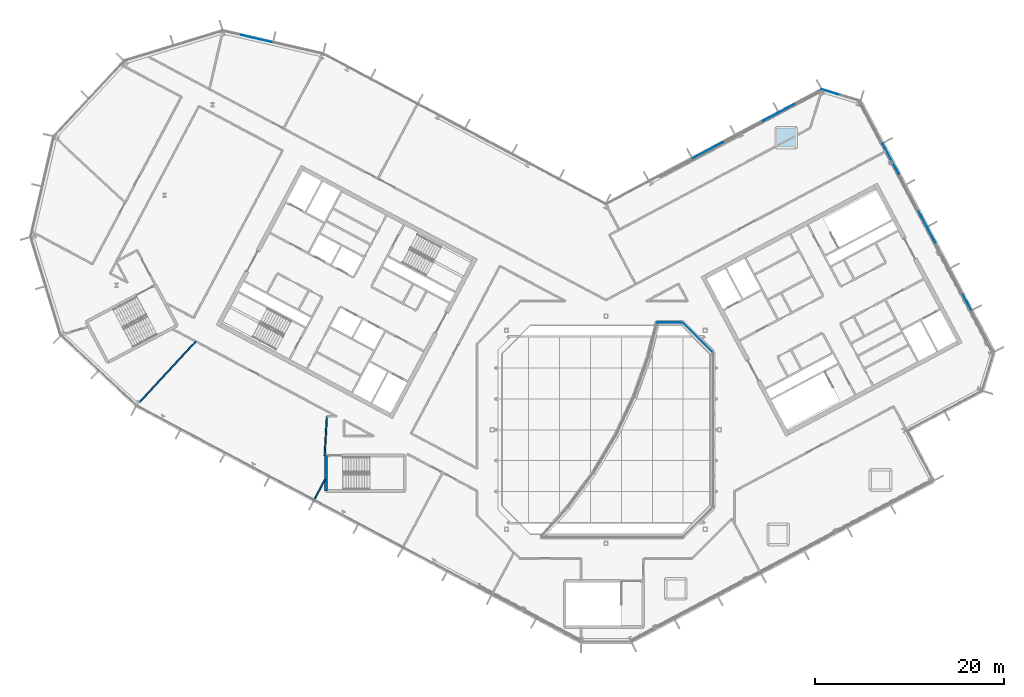
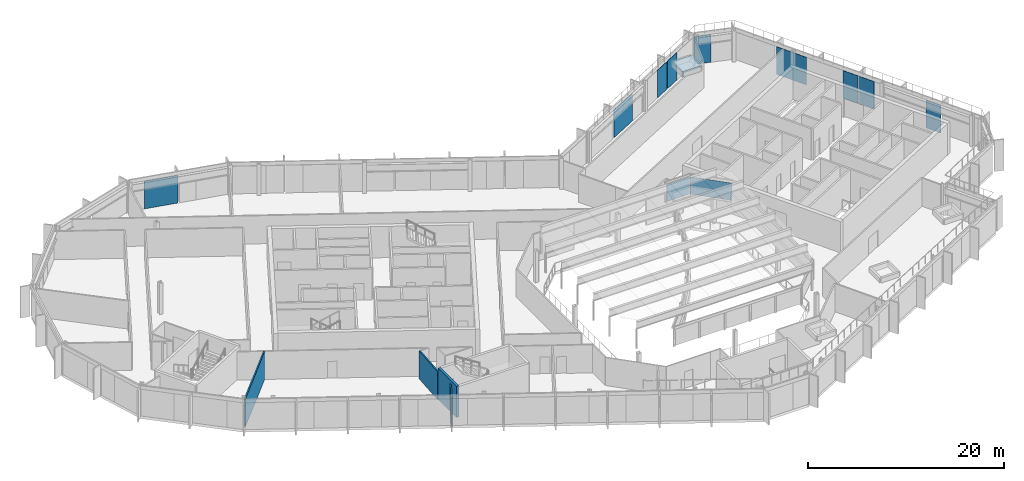
# One storey, part 22 of 35: 11 plates, 4 walls, 1 slab, 6 elements without a shape of their own.
"""IFC4 building model written with IfcOpenShell, lengths in metres."""

from ifc_helpers import new_model, si_unit, direction, frame, frame_2d, origin, origin_2d, place, context, subcontext, project, spatial, polyline, rectangle, outline, extrude, material, layer, layer_set, type_object, element, aggregate, save


model = new_model("IFC4")

# Units and contexts
model_context = context("Model", 3, precision=1e-05, world=origin(), true_north=direction((0.0, 1.0)))
body_context = subcontext(model_context, "Body", "Model", "MODEL_VIEW")
ifc_project = project(units=[si_unit("LENGTHUNIT", "METRE"), si_unit("AREAUNIT", "SQUARE_METRE"), si_unit("VOLUMEUNIT", "CUBIC_METRE"), si_unit("PLANEANGLEUNIT", "RADIAN"), si_unit("MASSUNIT", "GRAM", prefix="KILO")], contexts=[model_context])

# Site, building, storey
site_placement = place(None, origin())
site = spatial("IfcSite", under=ifc_project, at=site_placement, CompositionType="ELEMENT")
building_placement = place(site_placement, origin())
building = spatial("IfcBuilding", under=site, at=building_placement, Name="Cormorant Relay Tower", CompositionType="ELEMENT")
storey_placement = place(building_placement, frame((0.0, 0.0, 324.300048828125)))
storey = spatial("IfcBuildingStorey", under=building, at=storey_placement, Name="L74", CompositionType="ELEMENT", Elevation=324.300048828125)

# Curtain wall, plates
ifc_material_1 = material(Name="Aluminium 6063-T6 anodised bronze", Category="aluminium")
ifc_layer_1 = layer(ifc_material_1, 0.199951171875)
ifc_layer_set_1 = layer_set([ifc_layer_1], Name="CW1 unitised bronze curtain wall with vertical fins")
curtain_wall_type_1 = type_object("IfcCurtainWallType", Name="CW1 unitised bronze curtain wall with vertical fins", PredefinedType="NOTDEFINED", material=ifc_layer_set_1)
curtain_wall_1_placement = place(storey_placement, origin())
curtain_wall_1 = element("IfcCurtainWall", 1, at=curtain_wall_1_placement, inside=storey, type_object=curtain_wall_type_1, Name="CW1 curtain wall 6", PredefinedType="NOTDEFINED")
ifc_material_2 = material(Name="Tinted laminated glass", Category="glass")
ifc_layer_2 = layer(ifc_material_2, 0.0400390625)
ifc_layer_set_2 = layer_set([ifc_layer_2], Name="CW1 tinted vision panel 1800 module")
plate_type_1 = type_object("IfcPlateType", Name="CW1 tinted vision panel 1800 module", PredefinedType="CURTAIN_PANEL", material=ifc_layer_set_2)
plate_1_placement = place(storey_placement, frame((38.1640625, 13.468505859375, 0.0), z_axis=(0.0, 0.0, 1.0), x_axis=(-0.469471562786, 0.882947592859, 0.0)))
plate_1 = element("IfcPlate", 2, at=plate_1_placement, type_object=plate_type_1, Name="CW1 panel V01", PredefinedType="CURTAIN_PANEL", context=body_context, shape_type="SweptSolid", body=[
    extrude(rectangle(XDim=1.800048828125, YDim=0.0400390625, at=origin_2d()), origin(), (0.0, 0.0, 1.0), 3.449951171875),
])
plate_2_placement = place(storey_placement, frame((34.385009765625, 20.576171875, 0.0), z_axis=(0.0, 0.0, 1.0), x_axis=(-0.469471562786, 0.882947592859, 0.0)))
plate_2 = element("IfcPlate", 3, at=plate_2_placement, type_object=plate_type_1, Name="CW1 panel V03", PredefinedType="CURTAIN_PANEL", context=body_context, shape_type="SweptSolid", body=[
    extrude(rectangle(XDim=1.800048828125, YDim=0.0400390625, at=origin_2d()), origin(), (0.0, 0.0, 1.0), 3.449951171875),
])
plate_3_placement = place(storey_placement, frame((33.469482421875, 22.298095703125, 0.0), z_axis=(0.0, 0.0, 1.0), x_axis=(-0.469471562786, 0.882947592859, 0.0)))
plate_3 = element("IfcPlate", 4, at=plate_3_placement, type_object=plate_type_1, Name="CW1 panel V04", PredefinedType="CURTAIN_PANEL", context=body_context, shape_type="SweptSolid", body=[
    extrude(rectangle(XDim=1.800048828125, YDim=0.0400390625, at=origin_2d()), origin(), (0.0, 0.0, 1.0), 3.449951171875),
])

# Curtain wall, plate
curtain_wall_2_placement = place(storey_placement, origin())
curtain_wall_2 = element("IfcCurtainWall", 5, at=curtain_wall_2_placement, inside=storey, type_object=curtain_wall_type_1, Name="CW1 curtain wall 7", PredefinedType="NOTDEFINED")
plate_4_placement = place(storey_placement, frame((23.6767578125, 35.668212890625, 0.0), z_axis=(0.0, 0.0, 1.0), x_axis=(-0.956304755963, 0.292371704723, 0.0)))
plate_4 = element("IfcPlate", 6, at=plate_4_placement, type_object=plate_type_1, Name="CW1 panel V01", PredefinedType="CURTAIN_PANEL", context=body_context, shape_type="SweptSolid", body=[
    extrude(rectangle(XDim=1.800048828125, YDim=0.0400390625, at=origin_2d()), origin(), (0.0, 0.0, 1.0), 3.449951171875),
])
aggregate(curtain_wall_2, [plate_4])

# Curtain wall, plates
curtain_wall_3_placement = place(storey_placement, origin())
curtain_wall_3 = element("IfcCurtainWall", 7, at=curtain_wall_3_placement, inside=storey, type_object=curtain_wall_type_1, Name="CW1 curtain wall 8", PredefinedType="NOTDEFINED")
plate_5_placement = place(storey_placement, frame((19.099609375, 33.962158203125, 0.0), z_axis=(0.0, 0.0, 1.0), x_axis=(-0.882947592859, -0.469471562786, 0.0)))
plate_5 = element("IfcPlate", 8, at=plate_5_placement, type_object=plate_type_1, Name="CW1 panel V01", PredefinedType="CURTAIN_PANEL", context=body_context, shape_type="SweptSolid", body=[
    extrude(rectangle(XDim=1.800048828125, YDim=0.0400390625, at=origin_2d()), origin(), (0.0, 0.0, 1.0), 3.449951171875),
])
plate_6_placement = place(storey_placement, frame((17.3779296875, 33.046630859375, 0.0), z_axis=(0.0, 0.0, 1.0), x_axis=(-0.882947592859, -0.469471562786, 0.0)))
plate_6 = element("IfcPlate", 9, at=plate_6_placement, type_object=plate_type_1, Name="CW1 panel V02", PredefinedType="CURTAIN_PANEL", context=body_context, shape_type="SweptSolid", body=[
    extrude(rectangle(XDim=1.800048828125, YDim=0.0400390625, at=origin_2d()), origin(), (0.0, 0.0, 1.0), 3.449951171875),
])

# Plate
ifc_material_3 = material(Name="Tinted laminated glass", Category="glass")
ifc_layer_3 = layer(ifc_material_3, 0.0400390625)
ifc_layer_set_3 = layer_set([ifc_layer_3], Name="CW1 tinted vision panel 3600 module")
plate_type_2 = type_object("IfcPlateType", Name="CW1 tinted vision panel 3600 module", PredefinedType="CURTAIN_PANEL", material=ifc_layer_set_3)
plate_7_placement = place(storey_placement, frame((30.11279296875, 28.611083984375, 0.0), z_axis=(0.0, 0.0, 1.0), x_axis=(-0.469471562786, 0.882947592859, 0.0)))
plate_7 = element("IfcPlate", 10, at=plate_7_placement, type_object=plate_type_2, Name="CW1 panel V06", PredefinedType="CURTAIN_PANEL", context=body_context, shape_type="SweptSolid", body=[
    extrude(rectangle(XDim=3.60009765625, YDim=0.0400390625, at=origin_2d()), origin(), (0.0, 0.0, 1.0), 3.449951171875),
])

aggregate(curtain_wall_1, [plate_1, plate_2, plate_3, plate_7])

plate_8_placement = place(storey_placement, frame((10.770263671875, 29.533203125, 0.0), z_axis=(0.0, 0.0, 1.0), x_axis=(-0.882947592859, -0.469471562786, 0.0)))
plate_8 = element("IfcPlate", 11, at=plate_8_placement, type_object=plate_type_2, Name="CW1 panel V04", PredefinedType="CURTAIN_PANEL", context=body_context, shape_type="SweptSolid", body=[
    extrude(rectangle(XDim=3.60009765625, YDim=0.0400390625, at=origin_2d()), origin(), (0.0, 0.0, 1.0), 3.449951171875),
])

aggregate(curtain_wall_3, [plate_5, plate_6, plate_8])

# Curtain wall, plate
curtain_wall_4_placement = place(storey_placement, origin())
curtain_wall_4 = element("IfcCurtainWall", 12, at=curtain_wall_4_placement, inside=storey, type_object=curtain_wall_type_1, Name="CW1 curtain wall 10", PredefinedType="NOTDEFINED")
plate_9_placement = place(storey_placement, frame((-36.9921875, 41.33203125, 0.0), z_axis=(0.0, 0.0, 1.0), x_axis=(-0.974370064785, 0.224951054344, 0.0)))
plate_9 = element("IfcPlate", 13, at=plate_9_placement, type_object=plate_type_2, Name="CW1 panel V02", PredefinedType="CURTAIN_PANEL", context=body_context, shape_type="SweptSolid", body=[
    extrude(rectangle(XDim=3.60009765625, YDim=0.0400390625, at=origin_2d()), origin(), (0.0, 0.0, 1.0), 3.449951171875),
])
aggregate(curtain_wall_4, [plate_9])

ifc_material_4 = material(Name="Aluminium 6063-T6 anodised bronze", Category="aluminium")
ifc_layer_4 = layer(ifc_material_4, 0.199951171875)
ifc_layer_set_4 = layer_set([ifc_layer_4], Name="CW5 atrium lantern curtain wall")
curtain_wall_type_2 = type_object("IfcCurtainWallType", Name="CW5 atrium lantern curtain wall", PredefinedType="NOTDEFINED", material=ifc_layer_set_4)
curtain_wall_5_placement = place(storey_placement, origin())
curtain_wall_5 = element("IfcCurtainWall", 14, at=curtain_wall_5_placement, inside=storey, type_object=curtain_wall_type_2, Name="CW5 atrium lantern wall 10", PredefinedType="NOTDEFINED")
ifc_material_5 = material(Name="Clear laminated glass", Category="glass")
ifc_layer_5 = layer(ifc_material_5, 0.0400390625)
ifc_layer_set_5 = layer_set([ifc_layer_5], Name="CW5 clear laminated glass panel 40")
plate_type_3 = type_object("IfcPlateType", Name="CW5 clear laminated glass panel 40", PredefinedType="CURTAIN_PANEL", material=ifc_layer_set_5)
plate_10_placement = place(storey_placement, frame((9.726318359375, 9.726318359375, 3.89990234375), z_axis=(0.0, 0.0, 1.0), x_axis=(-0.707106781187, 0.707106781187, 0.0)))
plate_10 = element("IfcPlate", 15, at=plate_10_placement, type_object=plate_type_3, Name="CW5 panel 10.1", PredefinedType="CURTAIN_PANEL", context=body_context, shape_type="SweptSolid", body=[
    extrude(rectangle(XDim=4.43115234375, YDim=0.0400390625, at=origin_2d()), origin(), (0.0, 0.0, 1.0), 2.14990234375),
])
aggregate(curtain_wall_5, [plate_10])

curtain_wall_6_placement = place(storey_placement, origin())
curtain_wall_6 = element("IfcCurtainWall", 16, at=curtain_wall_6_placement, inside=storey, type_object=curtain_wall_type_2, Name="CW5 atrium lantern wall 11", PredefinedType="NOTDEFINED")
plate_11_placement = place(storey_placement, frame((6.750244140625, 11.320068359375, 3.89990234375), z_axis=(0.0, 0.0, 1.0), x_axis=(-1.0, 0.0, 0.0)))
plate_11 = element("IfcPlate", 17, at=plate_11_placement, type_object=plate_type_3, Name="CW5 panel 11.1", PredefinedType="CURTAIN_PANEL", context=body_context, shape_type="SweptSolid", body=[
    extrude(rectangle(XDim=2.68798828125, YDim=0.0400390625, at=origin_2d()), origin(), (0.0, 0.0, 1.0), 2.14990234375),
])
aggregate(curtain_wall_6, [plate_11])

# Slab
ifc_material_6 = material(Name="Planting soil")
ifc_layer_6 = layer(ifc_material_6, 0.60009765625)
ifc_layer_set_6 = layer_set([ifc_layer_6], Name="PLANTER bed 600")
slab_type = type_object("IfcSlabType", Name="PLANTER bed 600", PredefinedType="FLOOR", material=ifc_layer_set_6)
slab_placement = place(storey_placement, frame((0.0, 0.0, 3.89990234375)))
element("IfcSlab", 18, at=slab_placement, inside=storey, type_object=slab_type, Name="Planter", PredefinedType="FLOOR", context=body_context, shape_type="SweptSolid", body=[
    extrude(outline(polyline([(17.960693359375, 29.772216796875), (20.110595703125, 29.772216796875), (20.110595703125, 31.92236328125), (17.960693359375, 31.92236328125), (17.960693359375, 29.772216796875)])), origin(), (0.0, 0.0, 1.0), 0.60009765625),
])

# Walls
ifc_material_7 = material(Name="Gypsum board fire partition")
ifc_layer_7 = layer(ifc_material_7, 0.14990234375)
ifc_layer_set_7 = layer_set([ifc_layer_7], Name="Corridor partition 150 EI 60")
wall_type_1 = type_object("IfcWallType", Name="Corridor partition 150 EI 60", PredefinedType="PARTITIONING", material=ifc_layer_set_7)
wall_1_placement = place(storey_placement, frame((-29.70849609375, -2.720703125, 0.0), z_axis=(0.0, 0.0, 1.0), x_axis=(0.056209208886, 0.998419012658, 0.0)))
element("IfcWall", 19, at=wall_1_placement, inside=storey, type_object=wall_type_1, Name="wall/L74/part/020", PredefinedType="PARTITIONING", context=body_context, shape_type="SweptSolid", body=[
    extrude(rectangle(XDim=4.15234375, YDim=0.14990234375, at=frame_2d((2.076171875, 0.0))), origin(), (0.0, 0.0, 1.0), 3.5),
])
ifc_material_8 = material(Name="Concrete 50 MPa", Category="concrete")
ifc_layer_8 = layer(ifc_material_8, 0.300048828125)
ifc_layer_set_8 = layer_set([ifc_layer_8], Name="Remote stair wall 300")
wall_type_2 = type_object("IfcWallType", Name="Remote stair wall 300", PredefinedType="SHEAR", material=ifc_layer_set_8)
wall_2_placement = place(storey_placement, frame((-29.550048828125, -6.47509765625, 0.0), z_axis=(0.0, 0.0, 1.0), x_axis=(0.0, 1.0, 0.0)))
element("IfcWall", 20, at=wall_2_placement, inside=storey, type_object=wall_type_2, Name="L74 exit stair RC1 wall", PredefinedType="SHEAR", context=body_context, shape_type="SweptSolid", body=[
    extrude(rectangle(XDim=3.75, YDim=0.300048828125, at=frame_2d((1.875, 0.0))), origin(), (0.0, 0.0, 1.0), 3.89990234375),
])
ifc_material_9 = material(Name="Gypsum board partition")
ifc_layer_9 = layer(ifc_material_9, 0.14990234375)
ifc_layer_set_9 = layer_set([ifc_layer_9], Name="Tenant partition 150")
wall_type_3 = type_object("IfcWallType", Name="Tenant partition 150", PredefinedType="PARTITIONING", material=ifc_layer_set_9)
wall_3_placement = place(storey_placement, frame((-43.30810546875, 9.322998046875, 0.0), z_axis=(0.0, 0.0, 1.0), x_axis=(-0.681957743037, -0.7313915755, 0.0)))
element("IfcWall", 21, at=wall_3_placement, inside=storey, type_object=wall_type_3, Name="wall/L74/part/006", PredefinedType="PARTITIONING", context=body_context, shape_type="SweptSolid", body=[
    extrude(rectangle(XDim=8.736572265625, YDim=0.14990234375, at=frame_2d((4.3681640625, 0.0))), origin(), (0.0, 0.0, 1.0), 3.5),
])
wall_4_placement = place(storey_placement, frame((-29.677001953125, -5.259033203125, 0.0), z_axis=(0.0, 0.0, 1.0), x_axis=(-0.469186976584, -0.883098851207, 0.0)))
element("IfcWall", 22, at=wall_4_placement, inside=storey, type_object=wall_type_3, Name="wall/L74/part/018", PredefinedType="PARTITIONING", context=body_context, shape_type="SweptSolid", body=[
    extrude(rectangle(XDim=2.62353515625, YDim=0.14990234375, at=frame_2d((1.311767578125, 0.0))), origin(), (0.0, 0.0, 1.0), 3.5),
])

save(model, "model.ifc")
